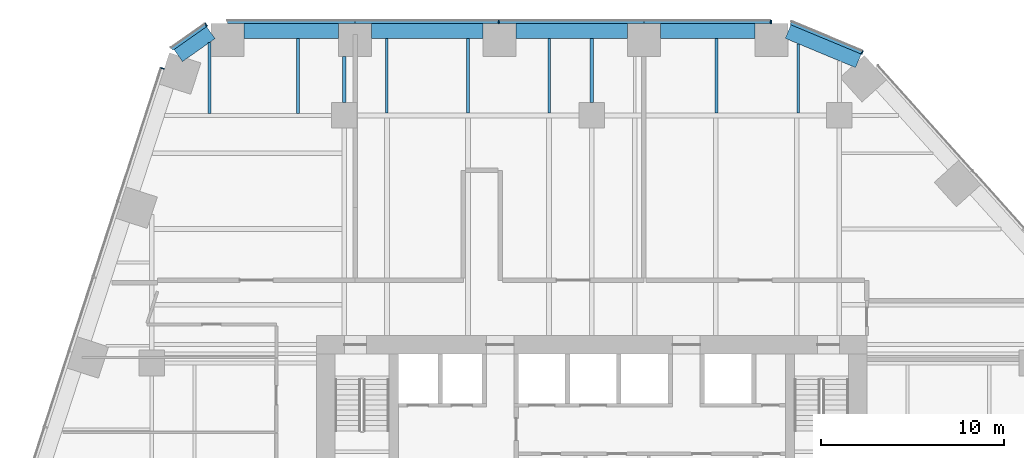
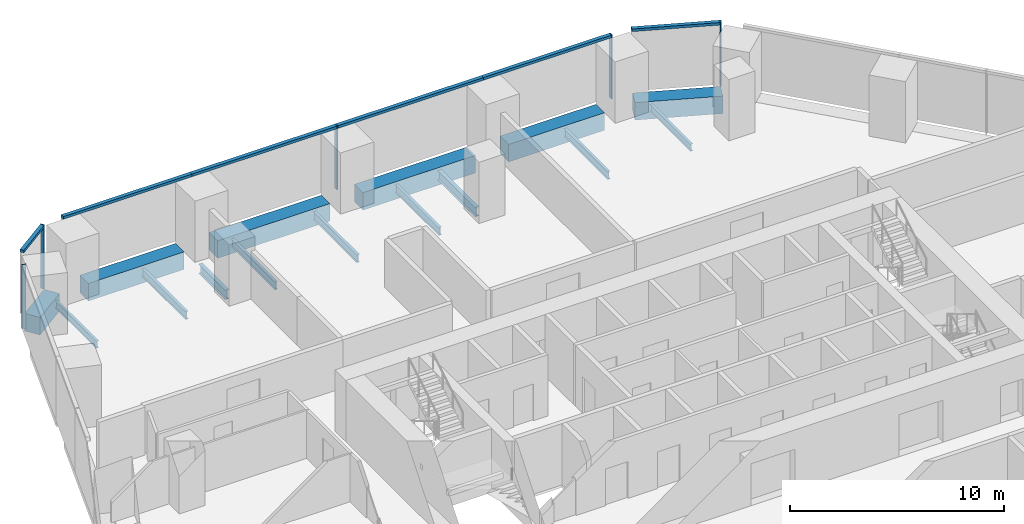
# One storey, part 12 of 20: 15 beams, 11 members, 4 elements without a shape of their own.
"""IFC4 building model written with IfcOpenShell, lengths in metres."""

import ifcopenshell
import ifcopenshell.guid

model = None  # the IFC model being written
_history = None  # IfcOwnerHistory: only IFC2X3 demands one
_inside = {}  # id of a spatial element -> (the spatial element, [elements in it])
_under = {}  # id of a project, library or spatial element -> (it, [spatial elements below it])
_declared = {}  # id of a project -> (the project, [libraries it declares])
_typed = {}  # id of a type object -> (the type object, [elements of that type])
_made_of = {}  # id of a material, layer set ... -> (it, [elements and type objects made of it])


def new_model(schema):
    """Start an empty IFC model of exactly this schema.

    Asked for "IFC4X3", IfcOpenShell would pick the latest addendum, in which some entities
    have other attributes; the version numbers below select the first issue.
    IFC2X3 requires an IfcOwnerHistory on every rooted entity: one is made here for all.
    """
    global model, _history
    if schema == "IFC4X3":
        model = ifcopenshell.file(schema_version=(4, 3, 0, 0))
    else:
        model = ifcopenshell.file(schema=schema)
    _inside.clear()
    _under.clear()
    _declared.clear()
    _typed.clear()
    _made_of.clear()
    _history = None
    if model.schema == "IFC2X3":
        org = make("IfcOrganization", Name="unknown")
        user = make(
            "IfcPersonAndOrganization",
            ThePerson=make("IfcPerson", FamilyName="unknown"),
            TheOrganization=org,
        )
        app = make(
            "IfcApplication",
            ApplicationDeveloper=org,
            Version="unknown",
            ApplicationFullName="unknown",
            ApplicationIdentifier="unknown",
        )
        _history = make(
            "IfcOwnerHistory",
            OwningUser=user,
            OwningApplication=app,
            ChangeAction="ADDED",
            CreationDate=0,
        )
    return model


def make(cls, **values):
    """One entity of the class cls with the attributes given. An attribute that is None is left unset."""
    return model.create_entity(
        cls, **{name: value for name, value in values.items() if value is not None}
    )


def rooted(cls, **values):
    """An entity with a GlobalId (a new one), such as an element, a storey or a relation."""
    return make(cls, GlobalId=ifcopenshell.guid.new(), OwnerHistory=_history, **values)


def si_unit(unit_type, name, prefix=None):
    """IfcSIUnit, for example si_unit("LENGTHUNIT", "METRE", prefix="MILLI")."""
    return make("IfcSIUnit", UnitType=unit_type, Prefix=prefix, Name=name)


def assignment(units):
    """IfcUnitAssignment: the units of a project."""
    return None if units is None else make("IfcUnitAssignment", Units=units)


def point(xyz):
    """IfcCartesianPoint."""
    return None if xyz is None else make("IfcCartesianPoint", Coordinates=xyz)


def direction(xyz):
    """IfcDirection."""
    return None if xyz is None else make("IfcDirection", DirectionRatios=xyz)


def frame(location, z_axis=None, x_axis=None):
    """IfcAxis2Placement3D, a coordinate frame: its origin and axes. An axis left out is left unset."""
    return make(
        "IfcAxis2Placement3D",
        Location=point(location),
        Axis=direction(z_axis),
        RefDirection=direction(x_axis),
    )


def frame_2d(location, x_axis=None):
    """IfcAxis2Placement2D, a coordinate frame in the plane: its origin and x axis."""
    return make(
        "IfcAxis2Placement2D", Location=point(location), RefDirection=direction(x_axis)
    )


def origin():
    """The frame at (0, 0, 0) with its axes left unset."""
    return frame((0.0, 0.0, 0.0))


def origin_2d():
    """The frame at (0, 0) in the plane with its x axis left unset."""
    return frame_2d((0.0, 0.0))


def place(relative_to, where):
    """IfcLocalPlacement: puts the frame where relative to a parent placement (None: the world)."""
    return make(
        "IfcLocalPlacement", PlacementRelTo=relative_to, RelativePlacement=where
    )


def context(
    kind, dimensions, precision=None, world=None, true_north=None, identifier=None
):
    """IfcGeometricRepresentationContext, for example the 3D "Model" context."""
    return make(
        "IfcGeometricRepresentationContext",
        ContextIdentifier=identifier,
        ContextType=kind,
        CoordinateSpaceDimension=dimensions,
        Precision=precision,
        WorldCoordinateSystem=world,
        TrueNorth=true_north,
    )


def subcontext(parent, identifier, kind, view, scale=None):
    """IfcGeometricRepresentationSubContext, for example "Body" below "Model"."""
    return make(
        "IfcGeometricRepresentationSubContext",
        ContextIdentifier=identifier,
        ContextType=kind,
        ParentContext=parent,
        TargetScale=scale,
        TargetView=view,
    )


def project(units=None, contexts=None):
    """IfcProject with its units and contexts."""
    return rooted(
        "IfcProject",
        Name="project",
        RepresentationContexts=contexts,
        UnitsInContext=assignment(units),
    )


def spatial(cls, under=None, at=None, **own):
    """A site, building, storey or space (cls), placed at a placement, below another one or the project."""
    s = rooted(cls, ObjectPlacement=at, **own)
    if under is not None:
        _under.setdefault(under.id(), (under, []))[1].append(s)
    return s


def profile(cls, at=None, kind="AREA", **sizes):
    """A parametric profile (cls). Its sizes go by their IFC names, for example OverallWidth=200.0."""
    return make(cls, ProfileType=kind, Position=at, **sizes)


def rectangle(**sizes):
    """IfcRectangleProfileDef."""
    return profile("IfcRectangleProfileDef", **sizes)


def i_section(**sizes):
    """IfcIShapeProfileDef."""
    return profile("IfcIShapeProfileDef", **sizes)


def extrude(swept, where, along, depth):
    """IfcExtrudedAreaSolid: the profile swept, set in the frame where, extruded along a direction by depth."""
    return make(
        "IfcExtrudedAreaSolid",
        SweptArea=swept,
        Position=where,
        ExtrudedDirection=direction(along),
        Depth=depth,
    )


def shape(context_of_items, identifier, shape_type, items):
    """IfcShapeRepresentation: the items that make up one representation, for example the "Body"."""
    return make(
        "IfcShapeRepresentation",
        ContextOfItems=context_of_items,
        RepresentationIdentifier=identifier,
        RepresentationType=shape_type,
        Items=items,
    )


def material(Name=None, Category=None):
    """IfcMaterial."""
    return make("IfcMaterial", Name=Name, Category=Category)


def layer(
    of_material, thickness, ventilated=None, Name=None, Category=None, Priority=None
):
    """IfcMaterialLayer: one layer of a wall or slab, of a material (None: an air gap)."""
    return make(
        "IfcMaterialLayer",
        Material=of_material,
        LayerThickness=thickness,
        IsVentilated=ventilated,
        Name=Name,
        Category=Category,
        Priority=Priority,
    )


def layer_set(layers, Name=None):
    """IfcMaterialLayerSet."""
    return make("IfcMaterialLayerSet", MaterialLayers=layers, LayerSetName=Name)


def material_profile(
    of_material, cross_section, Name=None, Category=None, Priority=None
):
    """IfcMaterialProfile: a cross section and its material."""
    return make(
        "IfcMaterialProfile",
        Name=Name,
        Material=of_material,
        Profile=cross_section,
        Priority=Priority,
        Category=Category,
    )


def profile_set(profiles, Name=None, composite=None):
    """IfcMaterialProfileSet."""
    return make(
        "IfcMaterialProfileSet",
        Name=Name,
        MaterialProfiles=profiles,
        CompositeProfile=composite,
    )


def made_of(thing, what):
    """Note that an element or type object is made of a material, layer set ...; save() writes the relation."""
    if what is not None:
        _made_of.setdefault(what.id(), (what, []))[1].append(thing)
    return thing


def type_object(cls, material=None, **own):
    """A type object (cls), such as IfcWallType, which elements share."""
    return made_of(rooted(cls, **own), material)


def element(
    cls,
    number,
    at=None,
    inside=None,
    cuts=None,
    type_object=None,
    material=None,
    context=None,
    identifier="Body",
    shape_type=None,
    held_by="IfcProductDefinitionShape",
    body=None,
    shapes=None,
    **own,
):
    """One element of the class cls, such as IfcWall. Its Tag is "e" and its number.

    at: its placement. inside: the storey or other place that contains it. cuts: it is an
    opening in that element (IfcRelVoidsElement). A single representation is given by context,
    identifier, shape_type and body (its items); several are given by shapes. held_by: the class
    of the entity that holds the representations. save() writes the other relations.
    """
    e = rooted(cls, Tag="e%d" % number, ObjectPlacement=at, **own)
    if body is not None:
        shapes = [shape(context, identifier, shape_type, body)]
    if shapes is not None:
        e.Representation = make(held_by, Representations=shapes)
    if inside is not None:
        _inside.setdefault(inside.id(), (inside, []))[1].append(e)
    if cuts is not None:
        rooted(
            "IfcRelVoidsElement", RelatingBuildingElement=cuts, RelatedOpeningElement=e
        )
    if type_object is not None:
        _typed.setdefault(type_object.id(), (type_object, []))[1].append(e)
    return made_of(e, material)


def aggregate(whole, parts):
    """IfcRelAggregates: a whole, such as a stair, and the parts it consists of."""
    return rooted("IfcRelAggregates", RelatingObject=whole, RelatedObjects=parts)


def save(model, path):
    """Write the relations noted so far, then the file.

    IfcRelAggregates (storeys below a building ...), IfcRelContainedInSpatialStructure (elements
    in a storey), IfcRelDefinesByType, IfcRelAssociatesMaterial and IfcRelDeclares: one each for
    every whole, place, type object, material and project.
    """
    for whole, parts in _under.values():
        aggregate(whole, parts)
    for where, things in _inside.values():
        rooted(
            "IfcRelContainedInSpatialStructure",
            RelatedElements=things,
            RelatingStructure=where,
        )
    for kind, things in _typed.values():
        rooted("IfcRelDefinesByType", RelatedObjects=things, RelatingType=kind)
    for what, things in _made_of.values():
        rooted("IfcRelAssociatesMaterial", RelatedObjects=things, RelatingMaterial=what)
    for by, libraries in _declared.values():
        rooted("IfcRelDeclares", RelatingContext=by, RelatedDefinitions=libraries)
    model.write(path)


model = new_model("IFC4")

# Units and contexts
model_context = context("Model", 3, precision=1e-05, world=origin(), true_north=direction((0.0, 1.0)))
body_context = subcontext(model_context, "Body", "Model", "MODEL_VIEW")
ifc_project = project(units=[si_unit("LENGTHUNIT", "METRE"), si_unit("AREAUNIT", "SQUARE_METRE"), si_unit("VOLUMEUNIT", "CUBIC_METRE"), si_unit("PLANEANGLEUNIT", "RADIAN"), si_unit("MASSUNIT", "GRAM", prefix="KILO")], contexts=[model_context])

# Site, building, storey
site_placement = place(None, origin())
site = spatial("IfcSite", under=ifc_project, at=site_placement, CompositionType="ELEMENT")
building_placement = place(site_placement, origin())
building = spatial("IfcBuilding", under=site, at=building_placement, Name="Isthmus Gate Tower", CompositionType="ELEMENT")
storey_placement = place(building_placement, frame((0.0, 0.0, 57.89990234375)))
storey = spatial("IfcBuildingStorey", under=building, at=storey_placement, Name="L12", CompositionType="ELEMENT", Elevation=57.89990234375)

# Curtain wall, members
ifc_material_1 = material(Name="Aluminium, pale champagne anodised", Category="aluminium")
ifc_layer = layer(ifc_material_1, 0.199951171875)
ifc_layer_set = layer_set([ifc_layer], Name="CW-1 UNITISED CURTAIN WALL 200 DEEP")
curtain_wall_type = type_object("IfcCurtainWallType", Name="CW-1 UNITISED CURTAIN WALL 200 DEEP", PredefinedType="NOTDEFINED", material=ifc_layer_set)
curtain_wall_1_placement = place(storey_placement, origin())
curtain_wall_1 = element("IfcCurtainWall", 1, at=curtain_wall_1_placement, inside=storey, type_object=curtain_wall_type, Name="CW-1 N L12", PredefinedType="NOTDEFINED")
ifc_material_2 = material(Name="Aluminium, pale champagne anodised", Category="aluminium")
ifc_material_profile_1 = material_profile(ifc_material_2, rectangle(XDim=0.06005859375, YDim=0.199951171875, at=origin_2d()), Name="60x200")
ifc_profile_set_1 = profile_set([ifc_material_profile_1], Name="Aluminium, pale champagne anodised")
member_type_1 = type_object("IfcMemberType", Name="CW-1 MULLION 60 X 200", PredefinedType="MULLION", material=ifc_profile_set_1)
member_1_placement = place(storey_placement, frame((9.77197265625, 32.10009765625, 0.0), z_axis=(0.0, 0.0, 1.0), x_axis=(-1.0, 0.0, 0.0)))
member_1 = element("IfcMember", 2, at=member_1_placement, type_object=member_type_1, Name="CW-1 mullion", PredefinedType="MULLION", context=body_context, shape_type="SweptSolid", body=[
    extrude(rectangle(XDim=0.06005859375, YDim=0.199951171875, at=origin_2d()), origin(), (0.0, 0.0, 1.0), 3.650146484375),
])
member_2_placement = place(storey_placement, frame((-5.067138671875, 32.10009765625, 0.0), z_axis=(0.0, 0.0, 1.0), x_axis=(-1.0, 0.0, 0.0)))
member_2 = element("IfcMember", 3, at=member_2_placement, type_object=member_type_1, Name="CW-1 mullion", PredefinedType="MULLION", context=body_context, shape_type="SweptSolid", body=[
    extrude(rectangle(XDim=0.06005859375, YDim=0.199951171875, at=origin_2d()), origin(), (0.0, 0.0, 1.0), 3.650146484375),
])

# Curtain wall, member
curtain_wall_2_placement = place(storey_placement, origin())
curtain_wall_2 = element("IfcCurtainWall", 4, at=curtain_wall_2_placement, inside=storey, type_object=curtain_wall_type, Name="CW-1 N-NW L12", PredefinedType="NOTDEFINED")
member_3_placement = place(storey_placement, frame((-21.031005859375, 31.943115234375, 0.0), z_axis=(0.0, 0.0, 1.0), x_axis=(-0.81785959165, -0.57541783805, 0.0)))
member_3 = element("IfcMember", 5, at=member_3_placement, type_object=member_type_1, Name="CW-1 mullion", PredefinedType="MULLION", context=body_context, shape_type="SweptSolid", body=[
    extrude(rectangle(XDim=0.06005859375, YDim=0.199951171875, at=origin_2d()), origin(), (0.0, 0.0, 1.0), 3.650146484375),
])

curtain_wall_3_placement = place(storey_placement, origin())
curtain_wall_3 = element("IfcCurtainWall", 6, at=curtain_wall_3_placement, inside=storey, type_object=curtain_wall_type, Name="CW-1 NW L12", PredefinedType="NOTDEFINED")
member_4_placement = place(storey_placement, frame((-23.41162109375, 29.561279296875, 0.0), z_axis=(0.0, 0.0, 1.0), x_axis=(-0.309016994375, -0.951056516295, 0.0)))
member_4 = element("IfcMember", 7, at=member_4_placement, type_object=member_type_1, Name="CW-1 mullion", PredefinedType="MULLION", context=body_context, shape_type="SweptSolid", body=[
    extrude(rectangle(XDim=0.06005859375, YDim=0.199951171875, at=origin_2d()), origin(), (0.0, 0.0, 1.0), 3.650146484375),
])
aggregate(curtain_wall_3, [member_4])

curtain_wall_4_placement = place(storey_placement, origin())
curtain_wall_4 = element("IfcCurtainWall", 8, at=curtain_wall_4_placement, inside=storey, type_object=curtain_wall_type, Name="CW-1 NE-N L12", PredefinedType="NOTDEFINED")
member_5_placement = place(storey_placement, frame((14.744140625, 30.427490234375, 0.0), z_axis=(0.0, 0.0, 1.0), x_axis=(-0.923353128387, 0.383951820282, 0.0)))
member_5 = element("IfcMember", 9, at=member_5_placement, type_object=member_type_1, Name="CW-1 mullion", PredefinedType="MULLION", context=body_context, shape_type="SweptSolid", body=[
    extrude(rectangle(XDim=0.06005859375, YDim=0.199951171875, at=origin_2d()), origin(), (0.0, 0.0, 1.0), 3.650146484375),
])

# Member
ifc_material_3 = material(Name="Aluminium, pale champagne anodised", Category="aluminium")
ifc_material_profile_2 = material_profile(ifc_material_3, rectangle(XDim=0.199951171875, YDim=0.14990234375, at=origin_2d()), Name="200x150")
ifc_profile_set_2 = profile_set([ifc_material_profile_2], Name="Aluminium, pale champagne anodised")
member_type_2 = type_object("IfcMemberType", Name="CW-1 TRANSOM 200 X 150", PredefinedType="USERDEFINED", material=ifc_profile_set_2)
member_6_placement = place(storey_placement, frame((9.741943359375, 32.10009765625, 3.5751953125), z_axis=(-1.0, 0.0, 0.0), x_axis=(0.0, -1.0, 0.0)))
member_6 = element("IfcMember", 10, at=member_6_placement, type_object=member_type_2, Name="CW-1 transom", ObjectType="TRANSOM", PredefinedType="USERDEFINED", context=body_context, shape_type="SweptSolid", body=[
    extrude(rectangle(XDim=0.199951171875, YDim=0.14990234375, at=origin_2d()), origin(), (0.0, 0.0, 1.0), 6.90966796875),
])

member_7_placement = place(storey_placement, frame((2.832275390625, 32.10009765625, 3.5751953125), z_axis=(-1.0, 0.0, 0.0), x_axis=(0.0, -1.0, 0.0)))
member_7 = element("IfcMember", 11, at=member_7_placement, type_object=member_type_2, Name="CW-1 transom", ObjectType="TRANSOM", PredefinedType="USERDEFINED", context=body_context, shape_type="SweptSolid", body=[
    extrude(rectangle(XDim=0.199951171875, YDim=0.14990234375, at=origin_2d()), origin(), (0.0, 0.0, 1.0), 7.869384765625),
])

member_8_placement = place(storey_placement, frame((-5.09716796875, 32.10009765625, 3.5751953125), z_axis=(-1.0, 0.0, 0.0), x_axis=(0.0, -1.0, 0.0)))
member_8 = element("IfcMember", 12, at=member_8_placement, type_object=member_type_2, Name="CW-1 transom", ObjectType="TRANSOM", PredefinedType="USERDEFINED", context=body_context, shape_type="SweptSolid", body=[
    extrude(rectangle(XDim=0.199951171875, YDim=0.14990234375, at=origin_2d()), origin(), (0.0, 0.0, 1.0), 7.8095703125),
])

member_9_placement = place(storey_placement, frame((-12.90673828125, 32.10009765625, 3.5751953125), z_axis=(-1.0, 0.0, 0.0), x_axis=(0.0, -1.0, 0.0)))
member_9 = element("IfcMember", 13, at=member_9_placement, type_object=member_type_2, Name="CW-1 transom", ObjectType="TRANSOM", PredefinedType="USERDEFINED", context=body_context, shape_type="SweptSolid", body=[
    extrude(rectangle(XDim=0.199951171875, YDim=0.14990234375, at=origin_2d()), origin(), (0.0, 0.0, 1.0), 6.969482421875),
])

aggregate(curtain_wall_1, [member_1, member_6, member_7, member_2, member_8, member_9])

member_10_placement = place(storey_placement, frame((-21.055419921875, 31.92578125, 3.5751953125), z_axis=(-0.817868595604, -0.575405040233, 0.0), x_axis=(0.575405040233, -0.817868595604, 0.0)))
member_10 = element("IfcMember", 14, at=member_10_placement, type_object=member_type_2, Name="CW-1 transom", ObjectType="TRANSOM", PredefinedType="USERDEFINED", context=body_context, shape_type="SweptSolid", body=[
    extrude(rectangle(XDim=0.199951171875, YDim=0.14990234375, at=origin_2d()), origin(), (0.0, 0.0, 1.0), 2.258544921875),
])

aggregate(curtain_wall_2, [member_3, member_10])

member_11_placement = place(storey_placement, frame((14.716552734375, 30.43896484375, 3.5751953125), z_axis=(-0.923358236369, 0.383939536033, 0.0), x_axis=(-0.383939536033, -0.923358236369, 0.0)))
member_11 = element("IfcMember", 15, at=member_11_placement, type_object=member_type_2, Name="CW-1 transom", ObjectType="TRANSOM", PredefinedType="USERDEFINED", context=body_context, shape_type="SweptSolid", body=[
    extrude(rectangle(XDim=0.199951171875, YDim=0.14990234375, at=origin_2d()), origin(), (0.0, 0.0, 1.0), 4.181640625),
])

aggregate(curtain_wall_4, [member_5, member_11])

# Beams
ifc_material_4 = material(Name="Concrete f'c 70 MPa", Category="concrete")
ifc_material_profile_3 = material_profile(ifc_material_4, rectangle(XDim=0.800048828125, YDim=1.0, at=origin_2d()), Name="RC 800X1000")
ifc_profile_set_3 = profile_set([ifc_material_profile_3], Name="Concrete f'c 70 MPa")
beam_type_1 = type_object("IfcBeamType", Name="RC SPANDREL 800 X 1000", PredefinedType="SPANDREL", material=ifc_profile_set_3)
beam_1_placement = place(storey_placement, frame((10.701904296875, 31.56689453125, -0.5), z_axis=(0.923334166719, -0.383997417399, 0.0), x_axis=(0.383997417399, 0.923334166719, 0.0)))
element("IfcBeam", 16, at=beam_1_placement, inside=storey, type_object=beam_type_1, Name="str-spandrel-L12-00", PredefinedType="SPANDREL", context=body_context, shape_type="SweptSolid", body=[
    extrude(rectangle(XDim=0.800048828125, YDim=1.0, at=origin_2d()), origin(), (0.0, 0.0, 1.0), 4.15234375),
])
beam_2_placement = place(storey_placement, frame((-22.553466796875, 30.260498046875, -0.5), z_axis=(0.817857331203, 0.575421050882, 0.0), x_axis=(-0.575421050882, 0.817857331203, 0.0)))
element("IfcBeam", 17, at=beam_2_placement, inside=storey, type_object=beam_type_1, Name="str-spandrel-L12-22", PredefinedType="SPANDREL", context=body_context, shape_type="SweptSolid", body=[
    extrude(rectangle(XDim=0.800048828125, YDim=1.0, at=origin_2d()), origin(), (0.0, 0.0, 1.0), 2.173095703125),
])
beam_3_placement = place(storey_placement, frame((-18.976318359375, 31.60009765625, -0.5), z_axis=(1.0, 0.0, 0.0), x_axis=(0.0, 1.0, 0.0)))
element("IfcBeam", 18, at=beam_3_placement, inside=storey, type_object=beam_type_1, Name="str-spandrel-L12-23", PredefinedType="SPANDREL", context=body_context, shape_type="SweptSolid", body=[
    extrude(rectangle(XDim=0.800048828125, YDim=1.0, at=origin_2d()), origin(), (0.0, 0.0, 1.0), 5.169677734375),
])
beam_4_placement = place(storey_placement, frame((-12.006591796875, 31.60009765625, -0.5), z_axis=(1.0, 0.0, 0.0), x_axis=(0.0, 1.0, 0.0)))
element("IfcBeam", 19, at=beam_4_placement, inside=storey, type_object=beam_type_1, Name="str-spandrel-L12-24", PredefinedType="SPANDREL", context=body_context, shape_type="SweptSolid", body=[
    extrude(rectangle(XDim=0.800048828125, YDim=1.0, at=origin_2d()), origin(), (0.0, 0.0, 1.0), 6.0693359375),
])
beam_5_placement = place(storey_placement, frame((-4.13720703125, 31.60009765625, -0.5), z_axis=(1.0, 0.0, 0.0), x_axis=(0.0, 1.0, 0.0)))
element("IfcBeam", 20, at=beam_5_placement, inside=storey, type_object=beam_type_1, Name="str-spandrel-L12-25", PredefinedType="SPANDREL", context=body_context, shape_type="SweptSolid", body=[
    extrude(rectangle(XDim=0.800048828125, YDim=1.0, at=origin_2d()), origin(), (0.0, 0.0, 1.0), 6.069580078125),
])
beam_6_placement = place(storey_placement, frame((3.732421875, 31.60009765625, -0.5), z_axis=(1.0, 0.0, 0.0), x_axis=(0.0, 1.0, 0.0)))
element("IfcBeam", 21, at=beam_6_placement, inside=storey, type_object=beam_type_1, Name="str-spandrel-L12-26", PredefinedType="SPANDREL", context=body_context, shape_type="SweptSolid", body=[
    extrude(rectangle(XDim=0.800048828125, YDim=1.0, at=origin_2d()), origin(), (0.0, 0.0, 1.0), 5.16943359375),
])
ifc_material_5 = material(Name="Structural steel ASTM A992 Gr 50", Category="steel")
ifc_material_profile_4 = material_profile(ifc_material_5, i_section(OverallWidth=0.1396484375, OverallDepth=0.4033203125, WebThickness=0.00634765625, FlangeThickness=0.010986328125, at=origin_2d()), Name="W16X31")
ifc_profile_set_4 = profile_set([ifc_material_profile_4], Name="Structural steel ASTM A992 Gr 50")
beam_type_2 = type_object("IfcBeamType", Name="STEEL FLOOR BEAM W16X31", PredefinedType="JOIST", material=ifc_profile_set_4)
beam_7_placement = place(storey_placement, frame((-20.846435546875, 27.1142578125, -0.3515625), z_axis=(0.0, 1.0, 0.0), x_axis=(-1.0, 0.0, 0.0)))
element("IfcBeam", 22, at=beam_7_placement, inside=storey, type_object=beam_type_2, Name="str-beam-L12-08-00", PredefinedType="JOIST", context=body_context, shape_type="SweptSolid", body=[
    extrude(i_section(OverallWidth=0.1396484375, OverallDepth=0.4033203125, WebThickness=0.00634765625, FlangeThickness=0.010986328125, at=origin_2d()), origin(), (0.0, 0.0, 1.0), 3.858154296875),
])
beam_8_placement = place(storey_placement, frame((11.267578125, 27.1318359375, -0.3515625), z_axis=(0.0, 1.0, 0.0), x_axis=(-1.0, 0.0, 0.0)))
element("IfcBeam", 23, at=beam_8_placement, inside=storey, type_object=beam_type_2, Name="str-beam-L12-19-02", PredefinedType="JOIST", context=body_context, shape_type="SweptSolid", body=[
    extrude(i_section(OverallWidth=0.1396484375, OverallDepth=0.4033203125, WebThickness=0.00634765625, FlangeThickness=0.010986328125, at=origin_2d()), origin(), (0.0, 0.0, 1.0), 3.7666015625),
])
ifc_material_6 = material(Name="Structural steel ASTM A992 Gr 50", Category="steel")
ifc_material_profile_5 = material_profile(ifc_material_6, i_section(OverallWidth=0.15234375, OverallDepth=0.45068359375, WebThickness=0.0078125, FlangeThickness=0.010986328125, at=origin_2d()), Name="W18X35")
ifc_profile_set_5 = profile_set([ifc_material_profile_5], Name="Structural steel ASTM A992 Gr 50")
beam_type_3 = type_object("IfcBeamType", Name="STEEL FLOOR BEAM W18X35", PredefinedType="JOIST", material=ifc_profile_set_5)
beam_9_placement = place(storey_placement, frame((-16.0185546875, 27.1142578125, -0.375244140625), z_axis=(0.0, 1.0, 0.0), x_axis=(-1.0, 0.0, 0.0)))
element("IfcBeam", 24, at=beam_9_placement, inside=storey, type_object=beam_type_3, Name="str-beam-L12-08-01", PredefinedType="JOIST", context=body_context, shape_type="SweptSolid", body=[
    extrude(i_section(OverallWidth=0.15234375, OverallDepth=0.45068359375, WebThickness=0.0078125, FlangeThickness=0.010986328125, at=origin_2d()), origin(), (0.0, 0.0, 1.0), 4.085693359375),
])
for number, where, z_axis, x_axis, name in (
    (25, (-11.18017578125, 27.1318359375, -0.375244140625), (0.0, 1.0, 0.0), (-1.0, 0.0, 0.0), "str-beam-L12-14-00"),
    (26, (-6.75, 27.1318359375, -0.375244140625), (0.0, 1.0, 0.0), (-1.0, 0.0, 0.0), "str-beam-L12-14-01"),
    (27, (-2.31982421875, 27.1318359375, -0.375244140625), (0.0, 1.0, 0.0), (-1.0, 0.0, 0.0), "str-beam-L12-14-02"),
    (28, (6.802490234375, 27.1318359375, -0.375244140625), (0.0, 1.0, 0.0), (-1.0, 0.0, 0.0), "str-beam-L12-19-01"),
):
    element("IfcBeam", number, at=place(storey_placement, frame(where, z_axis=z_axis, x_axis=x_axis)), inside=storey, type_object=beam_type_3, Name=name, PredefinedType="JOIST", context=body_context, shape_type="SweptSolid", body=[
        extrude(i_section(OverallWidth=0.15234375, OverallDepth=0.45068359375, WebThickness=0.0078125, FlangeThickness=0.010986328125, at=origin_2d()), origin(), (0.0, 0.0, 1.0), 4.068115234375),
    ])
ifc_material_7 = material(Name="Structural steel ASTM A992 Gr 50", Category="steel")
ifc_material_profile_6 = material_profile(ifc_material_7, i_section(OverallWidth=0.20947265625, OverallDepth=0.533447265625, WebThickness=0.009521484375, FlangeThickness=0.015869140625, at=origin_2d()), Name="W21X62")
ifc_profile_set_6 = profile_set([ifc_material_profile_6], Name="Structural steel ASTM A992 Gr 50")
beam_type_4 = type_object("IfcBeamType", Name="STEEL GIRDER W21X62", PredefinedType="BEAM", material=ifc_profile_set_6)
beam_10_placement = place(storey_placement, frame((-13.5, 27.699951171875, -0.41650390625), z_axis=(0.0, 1.0, 0.0), x_axis=(-1.0, 0.0, 0.0)))
element("IfcBeam", 29, at=beam_10_placement, inside=storey, type_object=beam_type_4, Name="str-girder-L12-27", PredefinedType="BEAM", context=body_context, shape_type="SweptSolid", body=[
    extrude(i_section(OverallWidth=0.20947265625, OverallDepth=0.533447265625, WebThickness=0.009521484375, FlangeThickness=0.015869140625, at=origin_2d()), origin(), (0.0, 0.0, 1.0), 2.5),
])
beam_11_placement = place(storey_placement, frame((0.0, 27.699951171875, -0.41650390625), z_axis=(0.0, 1.0, 0.0), x_axis=(-1.0, 0.0, 0.0)))
element("IfcBeam", 30, at=beam_11_placement, inside=storey, type_object=beam_type_4, Name="str-girder-L12-30", PredefinedType="BEAM", context=body_context, shape_type="SweptSolid", body=[
    extrude(i_section(OverallWidth=0.20947265625, OverallDepth=0.533447265625, WebThickness=0.009521484375, FlangeThickness=0.015869140625, at=origin_2d()), origin(), (0.0, 0.0, 1.0), 3.5),
])

save(model, "model.ifc")
